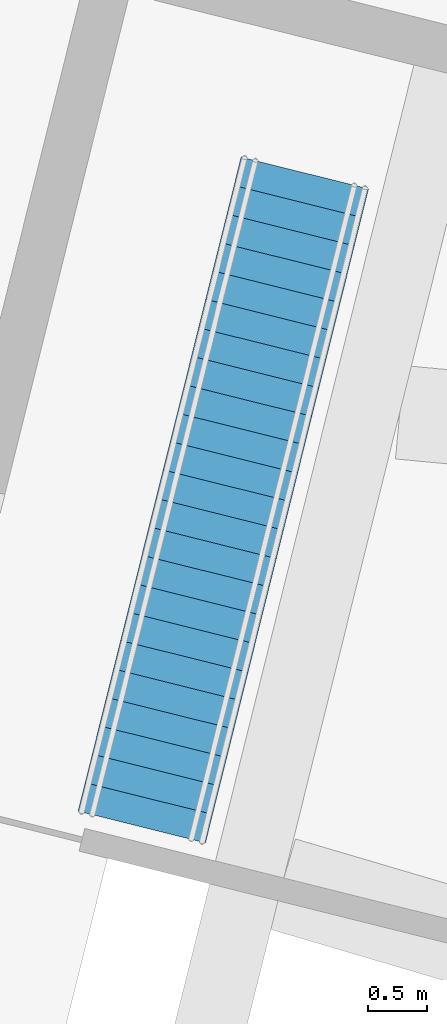
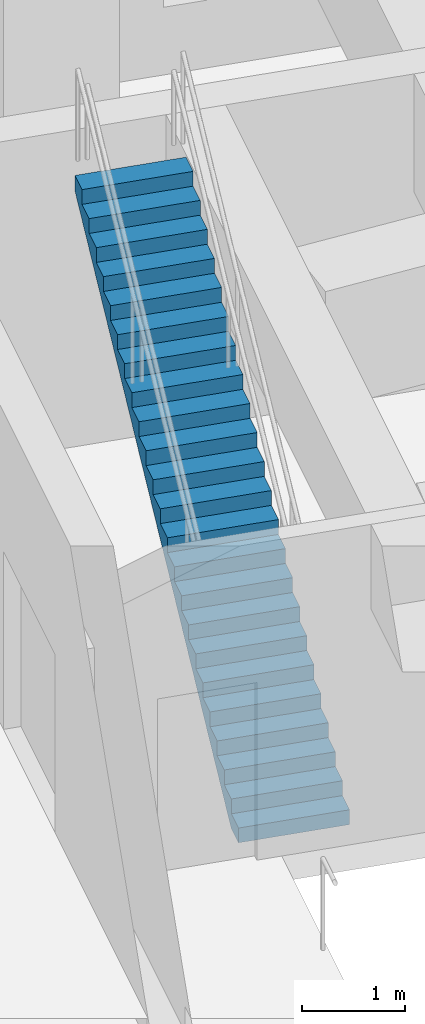
# One storey, part 10 of 11: 1 stair flight, 1 element without a shape of its own.
"""IFC4 building model written with IfcOpenShell, lengths in metres."""

from ifc_helpers import new_model, si_unit, direction, frame, origin, place, context, subcontext, project, spatial, polyline, outline, extrude, material, type_object, element, aggregate, save


model = new_model("IFC4")

# Units and contexts
model_context = context("Model", 3, precision=1e-05, world=origin(), true_north=direction((0.0, 1.0)))
body_context = subcontext(model_context, "Body", "Model", "MODEL_VIEW")
ifc_project = project(units=[si_unit("LENGTHUNIT", "METRE"), si_unit("AREAUNIT", "SQUARE_METRE"), si_unit("VOLUMEUNIT", "CUBIC_METRE"), si_unit("PLANEANGLEUNIT", "RADIAN"), si_unit("MASSUNIT", "GRAM", prefix="KILO")], contexts=[model_context])

# Site, building, storey
site_placement = place(None, origin())
site = spatial("IfcSite", under=ifc_project, at=site_placement, CompositionType="ELEMENT")
building_placement = place(site_placement, origin())
building = spatial("IfcBuilding", under=site, at=building_placement, Name="Meshkara Civic Tower", CompositionType="ELEMENT")
storey_placement = place(building_placement, frame((0.0, 0.0, 151.800048828125)))
storey = spatial("IfcBuildingStorey", under=building, at=storey_placement, Name="L34", CompositionType="ELEMENT", Elevation=151.800048828125)

# Stair, stair flight
ifc_material_1 = material(Name="Precast concrete C40/50", Category="concrete")
stair_type = type_object("IfcStairType", Name="Exit stair straight 24 risers 1120 precast", PredefinedType="STRAIGHT_RUN_STAIR", material=ifc_material_1)
stair_placement = place(storey_placement, origin())
stair = element("IfcStair", 1, at=stair_placement, inside=storey, type_object=stair_type, Name="L34 end core B exit stair 2", PredefinedType="STRAIGHT_RUN_STAIR")
ifc_material_2 = material(Name="Precast concrete C40/50", Category="concrete")
stair_flight_type = type_object("IfcStairFlightType", Name="Exit stair flight 24 risers 1120 precast", PredefinedType="STRAIGHT", material=ifc_material_2)
stair_flight_placement = place(storey_placement, frame((73.68505859375, -8.240966796875, 0.0), z_axis=(0.0, 0.0, 1.0), x_axis=(0.2419218956, 0.970295726276, 0.0)))
stair_flight = element("IfcStairFlight", 2, at=stair_flight_placement, type_object=stair_flight_type, Name="ESBT flight 1", NumberOfRisers=24, NumberOfTreads=23, PredefinedType="STRAIGHT", RiserHeight=0.175, TreadLength=0.25, context=body_context, shape_type="SweptSolid", body=[
    extrude(outline(polyline([(0.0, 0.0), (0.0, 0.175048828125), (0.25, 0.175048828125), (0.25, 0.35009765625), (0.5, 0.35009765625), (0.5, 0.52490234375), (0.75, 0.52490234375), (0.75, 0.699951171875), (1.0, 0.699951171875), (1.0, 0.875), (1.25, 0.875), (1.25, 1.050048828125), (1.5, 1.050048828125), (1.5, 1.22509765625), (1.75, 1.22509765625), (1.75, 1.39990234375), (2.0, 1.39990234375), (2.0, 1.574951171875), (2.25, 1.574951171875), (2.25, 1.75), (2.5, 1.75), (2.5, 1.925048828125), (2.75, 1.925048828125), (2.75, 2.10009765625), (3.0, 2.10009765625), (3.0, 2.27490234375), (3.25, 2.27490234375), (3.25, 2.449951171875), (3.5, 2.449951171875), (3.5, 2.625), (3.75, 2.625), (3.75, 2.800048828125), (4.0, 2.800048828125), (4.0, 2.97509765625), (4.25, 2.97509765625), (4.25, 3.14990234375), (4.5, 3.14990234375), (4.5, 3.324951171875), (4.75, 3.324951171875), (4.75, 3.5), (5.0, 3.5), (5.0, 3.675048828125), (5.25, 3.675048828125), (5.25, 3.85009765625), (5.5, 3.85009765625), (5.5, 4.02490234375), (5.75, 4.02490234375), (5.75, 4.199951171875), (5.75, 3.842041015625), (0.261474609375, 0.0), (0.0, 0.0)])), frame((0.0, 0.56005859375, 0.0), z_axis=(0.0, -1.0, 0.0), x_axis=(1.0, 0.0, 0.0)), (0.0, 0.0, 1.0), 1.1201171875),
])
aggregate(stair, [stair_flight])

save(model, "model.ifc")
